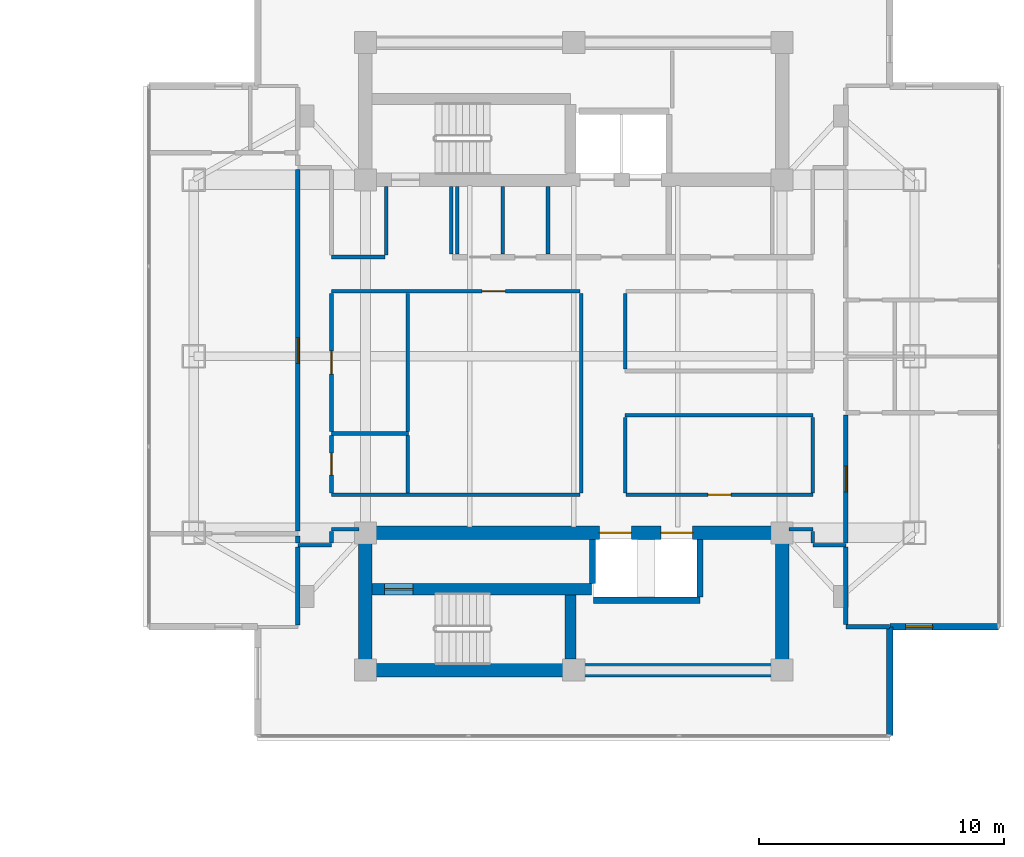
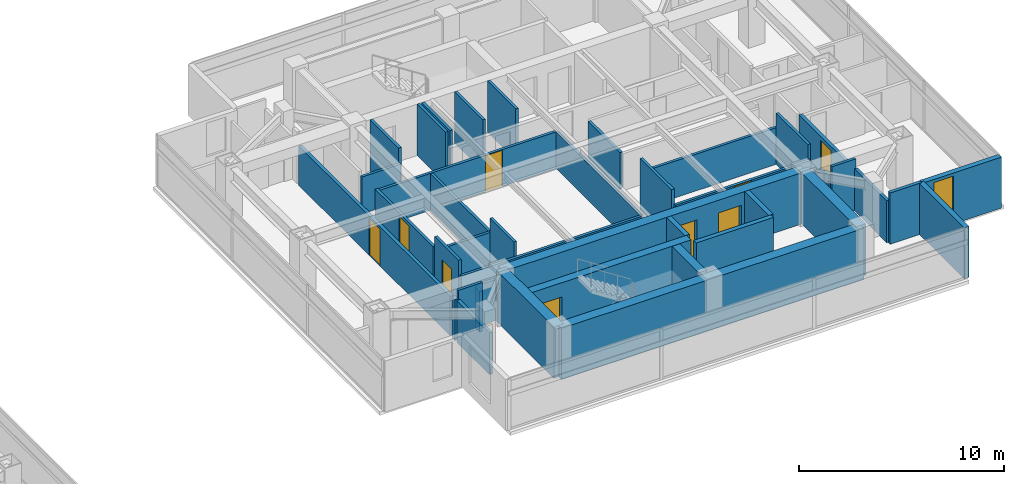
# One storey, part 16 of 24: 42 walls, 9 doors, 1 window, 10 openings.
"""IFC4 building model written with IfcOpenShell, lengths in metres."""

import ifcopenshell
import ifcopenshell.guid

model = None  # the IFC model being written
_history = None  # IfcOwnerHistory: only IFC2X3 demands one
_inside = {}  # id of a spatial element -> (the spatial element, [elements in it])
_under = {}  # id of a project, library or spatial element -> (it, [spatial elements below it])
_declared = {}  # id of a project -> (the project, [libraries it declares])
_typed = {}  # id of a type object -> (the type object, [elements of that type])
_made_of = {}  # id of a material, layer set ... -> (it, [elements and type objects made of it])


def new_model(schema):
    """Start an empty IFC model of exactly this schema.

    Asked for "IFC4X3", IfcOpenShell would pick the latest addendum, in which some entities
    have other attributes; the version numbers below select the first issue.
    IFC2X3 requires an IfcOwnerHistory on every rooted entity: one is made here for all.
    """
    global model, _history
    if schema == "IFC4X3":
        model = ifcopenshell.file(schema_version=(4, 3, 0, 0))
    else:
        model = ifcopenshell.file(schema=schema)
    _inside.clear()
    _under.clear()
    _declared.clear()
    _typed.clear()
    _made_of.clear()
    _history = None
    if model.schema == "IFC2X3":
        org = make("IfcOrganization", Name="unknown")
        user = make(
            "IfcPersonAndOrganization",
            ThePerson=make("IfcPerson", FamilyName="unknown"),
            TheOrganization=org,
        )
        app = make(
            "IfcApplication",
            ApplicationDeveloper=org,
            Version="unknown",
            ApplicationFullName="unknown",
            ApplicationIdentifier="unknown",
        )
        _history = make(
            "IfcOwnerHistory",
            OwningUser=user,
            OwningApplication=app,
            ChangeAction="ADDED",
            CreationDate=0,
        )
    return model


def make(cls, **values):
    """One entity of the class cls with the attributes given. An attribute that is None is left unset."""
    return model.create_entity(
        cls, **{name: value for name, value in values.items() if value is not None}
    )


def rooted(cls, **values):
    """An entity with a GlobalId (a new one), such as an element, a storey or a relation."""
    return make(cls, GlobalId=ifcopenshell.guid.new(), OwnerHistory=_history, **values)


def si_unit(unit_type, name, prefix=None):
    """IfcSIUnit, for example si_unit("LENGTHUNIT", "METRE", prefix="MILLI")."""
    return make("IfcSIUnit", UnitType=unit_type, Prefix=prefix, Name=name)


def assignment(units):
    """IfcUnitAssignment: the units of a project."""
    return None if units is None else make("IfcUnitAssignment", Units=units)


def point(xyz):
    """IfcCartesianPoint."""
    return None if xyz is None else make("IfcCartesianPoint", Coordinates=xyz)


def direction(xyz):
    """IfcDirection."""
    return None if xyz is None else make("IfcDirection", DirectionRatios=xyz)


def frame(location, z_axis=None, x_axis=None):
    """IfcAxis2Placement3D, a coordinate frame: its origin and axes. An axis left out is left unset."""
    return make(
        "IfcAxis2Placement3D",
        Location=point(location),
        Axis=direction(z_axis),
        RefDirection=direction(x_axis),
    )


def frame_2d(location, x_axis=None):
    """IfcAxis2Placement2D, a coordinate frame in the plane: its origin and x axis."""
    return make(
        "IfcAxis2Placement2D", Location=point(location), RefDirection=direction(x_axis)
    )


def origin():
    """The frame at (0, 0, 0) with its axes left unset."""
    return frame((0.0, 0.0, 0.0))


def place(relative_to, where):
    """IfcLocalPlacement: puts the frame where relative to a parent placement (None: the world)."""
    return make(
        "IfcLocalPlacement", PlacementRelTo=relative_to, RelativePlacement=where
    )


def context(
    kind, dimensions, precision=None, world=None, true_north=None, identifier=None
):
    """IfcGeometricRepresentationContext, for example the 3D "Model" context."""
    return make(
        "IfcGeometricRepresentationContext",
        ContextIdentifier=identifier,
        ContextType=kind,
        CoordinateSpaceDimension=dimensions,
        Precision=precision,
        WorldCoordinateSystem=world,
        TrueNorth=true_north,
    )


def subcontext(parent, identifier, kind, view, scale=None):
    """IfcGeometricRepresentationSubContext, for example "Body" below "Model"."""
    return make(
        "IfcGeometricRepresentationSubContext",
        ContextIdentifier=identifier,
        ContextType=kind,
        ParentContext=parent,
        TargetScale=scale,
        TargetView=view,
    )


def project(units=None, contexts=None):
    """IfcProject with its units and contexts."""
    return rooted(
        "IfcProject",
        Name="project",
        RepresentationContexts=contexts,
        UnitsInContext=assignment(units),
    )


def spatial(cls, under=None, at=None, **own):
    """A site, building, storey or space (cls), placed at a placement, below another one or the project."""
    s = rooted(cls, ObjectPlacement=at, **own)
    if under is not None:
        _under.setdefault(under.id(), (under, []))[1].append(s)
    return s


def profile(cls, at=None, kind="AREA", **sizes):
    """A parametric profile (cls). Its sizes go by their IFC names, for example OverallWidth=200.0."""
    return make(cls, ProfileType=kind, Position=at, **sizes)


def rectangle(**sizes):
    """IfcRectangleProfileDef."""
    return profile("IfcRectangleProfileDef", **sizes)


def extrude(swept, where, along, depth):
    """IfcExtrudedAreaSolid: the profile swept, set in the frame where, extruded along a direction by depth."""
    return make(
        "IfcExtrudedAreaSolid",
        SweptArea=swept,
        Position=where,
        ExtrudedDirection=direction(along),
        Depth=depth,
    )


def shape(context_of_items, identifier, shape_type, items):
    """IfcShapeRepresentation: the items that make up one representation, for example the "Body"."""
    return make(
        "IfcShapeRepresentation",
        ContextOfItems=context_of_items,
        RepresentationIdentifier=identifier,
        RepresentationType=shape_type,
        Items=items,
    )


def material(Name=None, Category=None):
    """IfcMaterial."""
    return make("IfcMaterial", Name=Name, Category=Category)


def layer(
    of_material, thickness, ventilated=None, Name=None, Category=None, Priority=None
):
    """IfcMaterialLayer: one layer of a wall or slab, of a material (None: an air gap)."""
    return make(
        "IfcMaterialLayer",
        Material=of_material,
        LayerThickness=thickness,
        IsVentilated=ventilated,
        Name=Name,
        Category=Category,
        Priority=Priority,
    )


def layer_set(layers, Name=None):
    """IfcMaterialLayerSet."""
    return make("IfcMaterialLayerSet", MaterialLayers=layers, LayerSetName=Name)


def made_of(thing, what):
    """Note that an element or type object is made of a material, layer set ...; save() writes the relation."""
    if what is not None:
        _made_of.setdefault(what.id(), (what, []))[1].append(thing)
    return thing


def type_object(cls, material=None, **own):
    """A type object (cls), such as IfcWallType, which elements share."""
    return made_of(rooted(cls, **own), material)


def element(
    cls,
    number,
    at=None,
    inside=None,
    cuts=None,
    type_object=None,
    material=None,
    context=None,
    identifier="Body",
    shape_type=None,
    held_by="IfcProductDefinitionShape",
    body=None,
    shapes=None,
    **own,
):
    """One element of the class cls, such as IfcWall. Its Tag is "e" and its number.

    at: its placement. inside: the storey or other place that contains it. cuts: it is an
    opening in that element (IfcRelVoidsElement). A single representation is given by context,
    identifier, shape_type and body (its items); several are given by shapes. held_by: the class
    of the entity that holds the representations. save() writes the other relations.
    """
    e = rooted(cls, Tag="e%d" % number, ObjectPlacement=at, **own)
    if body is not None:
        shapes = [shape(context, identifier, shape_type, body)]
    if shapes is not None:
        e.Representation = make(held_by, Representations=shapes)
    if inside is not None:
        _inside.setdefault(inside.id(), (inside, []))[1].append(e)
    if cuts is not None:
        rooted(
            "IfcRelVoidsElement", RelatingBuildingElement=cuts, RelatedOpeningElement=e
        )
    if type_object is not None:
        _typed.setdefault(type_object.id(), (type_object, []))[1].append(e)
    return made_of(e, material)


def fill(opening, filler):
    """IfcRelFillsElement: the door or window that sits in an opening."""
    return rooted(
        "IfcRelFillsElement",
        RelatingOpeningElement=opening,
        RelatedBuildingElement=filler,
    )


def aggregate(whole, parts):
    """IfcRelAggregates: a whole, such as a stair, and the parts it consists of."""
    return rooted("IfcRelAggregates", RelatingObject=whole, RelatedObjects=parts)


def save(model, path):
    """Write the relations noted so far, then the file.

    IfcRelAggregates (storeys below a building ...), IfcRelContainedInSpatialStructure (elements
    in a storey), IfcRelDefinesByType, IfcRelAssociatesMaterial and IfcRelDeclares: one each for
    every whole, place, type object, material and project.
    """
    for whole, parts in _under.values():
        aggregate(whole, parts)
    for where, things in _inside.values():
        rooted(
            "IfcRelContainedInSpatialStructure",
            RelatedElements=things,
            RelatingStructure=where,
        )
    for kind, things in _typed.values():
        rooted("IfcRelDefinesByType", RelatedObjects=things, RelatingType=kind)
    for what, things in _made_of.values():
        rooted("IfcRelAssociatesMaterial", RelatedObjects=things, RelatingMaterial=what)
    for by, libraries in _declared.values():
        rooted("IfcRelDeclares", RelatingContext=by, RelatedDefinitions=libraries)
    model.write(path)


model = new_model("IFC4")

# Units and contexts
model_context = context("Model", 3, precision=1e-05, world=origin(), true_north=direction((0.0, 1.0)))
body_context = subcontext(model_context, "Body", "Model", "MODEL_VIEW")
ifc_project = project(units=[si_unit("LENGTHUNIT", "METRE"), si_unit("AREAUNIT", "SQUARE_METRE"), si_unit("VOLUMEUNIT", "CUBIC_METRE"), si_unit("PLANEANGLEUNIT", "RADIAN"), si_unit("MASSUNIT", "GRAM", prefix="KILO")], contexts=[model_context])

# Site, building, storey
site_placement = place(None, origin())
site = spatial("IfcSite", under=ifc_project, at=site_placement, CompositionType="ELEMENT")
building_placement = place(site_placement, origin())
building = spatial("IfcBuilding", under=site, at=building_placement, Name="Mirazonda Arch Towers", CompositionType="ELEMENT")
storey_placement = place(building_placement, frame((0.0, 0.0, 196.64990234375)))
storey = spatial("IfcBuildingStorey", under=building, at=storey_placement, Name="L56", CompositionType="ELEMENT", Elevation=196.64990234375)

# Wall, opening, door
ifc_material_1 = material(Name="Concrete C50/60", Category="concrete")
ifc_layer_1 = layer(ifc_material_1, 0.449951171875, Name="WALL-CORE-450")
ifc_layer_set_1 = layer_set([ifc_layer_1], Name="Concrete C50/60")
wall_type_1 = type_object("IfcWallType", Name="WALL-CORE-450", PredefinedType="SHEAR", material=ifc_layer_set_1)
wall_1_placement = place(storey_placement, frame((68.27001953125, 18.5, 0.0), z_axis=(0.0, 0.0, 1.0), x_axis=(1.0, 0.0, 0.0)))
wall_1 = element("IfcWall", 1, at=wall_1_placement, inside=storey, type_object=wall_type_1, Name="L56 Stair Core Shear Wall 013", PredefinedType="SHEAR", context=body_context, shape_type="SweptSolid", body=[
    extrude(rectangle(XDim=8.949951171875, YDim=0.449951171875, at=frame_2d((4.47509765625, 0.0))), origin(), (0.0, 0.0, 1.0), 3.050048828125),
])
opening_1_placement = place(wall_1_placement, frame((0.52001953125, 0.0, 0.0)))
opening_1 = element("IfcOpeningElement", 2, at=opening_1_placement, cuts=wall_1, Name="Opening DR-135", PredefinedType="OPENING", context=body_context, shape_type="SweptSolid", body=[
    extrude(rectangle(XDim=1.14990234375, YDim=2.199951171875, at=frame_2d((0.574951171875, 1.10009765625))), frame((0.0, 0.23486328125, 0.0), z_axis=(0.0, -1.0, 0.0), x_axis=(1.0, 0.0, 0.0)), (0.0, 0.0, 1.0), 0.469970703125),
])
ifc_material_2 = material(Name="Architectural Brushed Steel S355", Category="steel")
door_type_1 = type_object("IfcDoorType", Name="DOOR-STAIR-FD90-1150", OperationType="NOTDEFINED", PredefinedType="DOOR", material=ifc_material_2)
door_1_placement = place(opening_1_placement, origin())
door_1 = element("IfcDoor", 3, at=door_1_placement, inside=storey, type_object=door_type_1, Name="L56 East Protected Stair South Door", OperationType="SINGLE_SWING_RIGHT", OverallHeight=2.199951171875, OverallWidth=1.14990234375, PredefinedType="DOOR", context=body_context, shape_type="SweptSolid", body=[
    extrude(rectangle(XDim=1.14990234375, YDim=2.199951171875, at=frame_2d((0.574951171875, 1.10009765625))), frame((0.0, 0.02490234375, 0.0), z_axis=(0.0, -1.0, 0.0), x_axis=(1.0, 0.0, 0.0)), (0.0, 0.0, 1.0), 0.050048828125),
])
fill(opening_1, door_1)

# Walls
wall_2_placement = place(storey_placement, frame((76.360107421875, 15.6650390625, 0.0), z_axis=(0.0, 0.0, 1.0), x_axis=(0.0, 1.0, 0.0)))
element("IfcWall", 4, at=wall_2_placement, inside=storey, type_object=wall_type_1, Name="L56 Stair Core Shear Wall 127", PredefinedType="SHEAR", context=body_context, shape_type="SweptSolid", body=[
    extrude(rectangle(XDim=2.599853515625, YDim=0.449951171875, at=frame_2d((1.2998046875, 0.0))), origin(), (0.0, 0.0, 1.0), 3.050048828125),
])
ifc_layer_2 = layer(ifc_material_1, 0.550048828125, Name="WALL-CORE-550")
ifc_layer_set_2 = layer_set([ifc_layer_2], Name="Concrete C50/60")
wall_type_2 = type_object("IfcWallType", Name="WALL-CORE-550", PredefinedType="SHEAR", material=ifc_layer_set_2)
wall_3_placement = place(storey_placement, frame((68.0, 15.199951171875, 0.0), z_axis=(0.0, 0.0, 1.0), x_axis=(1.0, 0.0, 0.0)))
element("IfcWall", 5, at=wall_3_placement, inside=storey, type_object=wall_type_2, Name="L56 T2S-S Core Shear Wall", PredefinedType="SHEAR", context=body_context, shape_type="SweptSolid", body=[
    extrude(rectangle(XDim=17.0, YDim=0.550048828125, at=frame_2d((8.5, 0.0))), origin(), (0.0, 0.0, 1.0), 3.050048828125),
])
for number, where, z_axis, x_axis, name in (
    (6, (68.0, 15.199951171875, 0.0), (0.0, 0.0, 1.0), (0.0, 1.0, 0.0), "L56 T2S-W Core Shear Wall"),
    (7, (85.0, 15.199951171875, 0.0), (0.0, 0.0, 1.0), (0.0, 1.0, 0.0), "L56 T2S-E Core Shear Wall"),
):
    element("IfcWall", number, at=place(storey_placement, frame(where, z_axis=z_axis, x_axis=x_axis)), inside=storey, type_object=wall_type_2, Name=name, PredefinedType="SHEAR", context=body_context, shape_type="SweptSolid", body=[
        extrude(rectangle(XDim=5.60009765625, YDim=0.550048828125, at=frame_2d((2.800048828125, 0.0))), origin(), (0.0, 0.0, 1.0), 3.050048828125),
    ])

# Wall, openings, doors
wall_4_placement = place(storey_placement, frame((68.0, 20.800048828125, 0.0), z_axis=(0.0, 0.0, 1.0), x_axis=(1.0, 0.0, 0.0)))
wall_4 = element("IfcWall", 8, at=wall_4_placement, inside=storey, type_object=wall_type_2, Name="L56 T2S-N Core Shear Wall", PredefinedType="SHEAR", context=body_context, shape_type="SweptSolid", body=[
    extrude(rectangle(XDim=17.0, YDim=0.550048828125, at=frame_2d((8.5, 0.0))), origin(), (0.0, 0.0, 1.0), 3.050048828125),
])
opening_2_placement = place(wall_4_placement, frame((9.550048828125, 0.0, 0.0)))
opening_2 = element("IfcOpeningElement", 9, at=opening_2_placement, cuts=wall_4, Name="Opening LD-111", PredefinedType="OPENING", context=body_context, shape_type="SweptSolid", body=[
    extrude(rectangle(XDim=1.300048828125, YDim=2.300048828125, at=frame_2d((0.64990234375, 1.14990234375))), frame((0.0, 0.284912109375, 0.0), z_axis=(0.0, -1.0, 0.0), x_axis=(1.0, 0.0, 0.0)), (0.0, 0.0, 1.0), 0.570068359375),
])
opening_3_placement = place(wall_4_placement, frame((12.050048828125, 0.0, 0.0)))
opening_3 = element("IfcOpeningElement", 10, at=opening_3_placement, cuts=wall_4, Name="Opening LD-111", PredefinedType="OPENING", context=body_context, shape_type="SweptSolid", body=[
    extrude(rectangle(XDim=1.300048828125, YDim=2.300048828125, at=frame_2d((0.64990234375, 1.14990234375))), frame((0.0, 0.284912109375, 0.0), z_axis=(0.0, -1.0, 0.0), x_axis=(1.0, 0.0, 0.0)), (0.0, 0.0, 1.0), 0.570068359375),
])
door_type_2 = type_object("IfcDoorType", Name="DOOR-LIFT-LAND-1300", OperationType="NOTDEFINED", PredefinedType="DOOR", material=ifc_material_2)
door_2_placement = place(opening_2_placement, origin())
door_2 = element("IfcDoor", 11, at=door_2_placement, inside=storey, type_object=door_type_2, Name="L56 Lift Landing Sliding Door PL-T2H1", OperationType="DOUBLE_DOOR_SLIDING", OverallHeight=2.300048828125, OverallWidth=1.300048828125, PredefinedType="DOOR", context=body_context, shape_type="SweptSolid", body=[
    extrude(rectangle(XDim=1.300048828125, YDim=2.300048828125, at=frame_2d((0.64990234375, 1.14990234375))), frame((0.0, 0.02490234375, 0.0), z_axis=(0.0, -1.0, 0.0), x_axis=(1.0, 0.0, 0.0)), (0.0, 0.0, 1.0), 0.050048828125),
])
fill(opening_2, door_2)
door_3_placement = place(opening_3_placement, origin())
door_3 = element("IfcDoor", 12, at=door_3_placement, inside=storey, type_object=door_type_2, Name="L56 Lift Landing Sliding Door PL-T2H2", OperationType="DOUBLE_DOOR_SLIDING", OverallHeight=2.300048828125, OverallWidth=1.300048828125, PredefinedType="DOOR", context=body_context, shape_type="SweptSolid", body=[
    extrude(rectangle(XDim=1.300048828125, YDim=2.300048828125, at=frame_2d((0.64990234375, 1.14990234375))), frame((0.0, 0.02490234375, 0.0), z_axis=(0.0, -1.0, 0.0), x_axis=(1.0, 0.0, 0.0)), (0.0, 0.0, 1.0), 0.050048828125),
])
fill(opening_3, door_3)

# Wall, opening, window
ifc_material_3 = material(Name="Precast Concrete C40/50", Category="concrete")
ifc_layer_3 = layer(ifc_material_3, 0.280029296875, Name="WALL-EXT-WALL-280")
ifc_layer_set_3 = layer_set([ifc_layer_3], Name="Precast Concrete C40/50")
wall_type_3 = type_object("IfcWallType", Name="WALL-EXT-WALL-280", PredefinedType="SOLIDWALL", material=ifc_layer_set_3)
wall_5_placement = place(storey_placement, frame((89.389892578125, 16.968017578125, 0.0), z_axis=(0.0, 0.0, 1.0), x_axis=(1.0, 0.0, 0.0)))
wall_5 = element("IfcWall", 13, at=wall_5_placement, inside=storey, type_object=wall_type_3, Name="L56 T2 Corner Notch Return Wall WL-L56-T2-CSE1", PredefinedType="SOLIDWALL", context=body_context, shape_type="SweptSolid", body=[
    extrude(rectangle(XDim=4.439697265625, YDim=0.280029296875, at=frame_2d((2.2197265625, 0.0))), origin(), (0.0, 0.0, 1.0), 3.030029296875),
])
opening_4_placement = place(wall_5_placement, frame((0.64990234375, 0.0, 0.85009765625)))
opening_4 = element("IfcOpeningElement", 14, at=opening_4_placement, cuts=wall_5, Name="Opening WN-108", PredefinedType="OPENING", context=body_context, shape_type="SweptSolid", body=[
    extrude(rectangle(XDim=1.10009765625, YDim=2.0, at=frame_2d((0.550048828125, 1.0))), frame((0.0, 0.14990234375, 0.0), z_axis=(0.0, -1.0, 0.0), x_axis=(1.0, 0.0, 0.0)), (0.0, 0.0, 1.0), 0.300048828125),
])
ifc_material_4 = material(Name="Insulated Low-E Solar Glass", Category="glass")
window_type = type_object("IfcWindowType", Name="WIN-NOTCH-1100x2000", PartitioningType="SINGLE_PANEL", PredefinedType="WINDOW", material=ifc_material_4)
window_placement = place(opening_4_placement, origin())
window = element("IfcWindow", 15, at=window_placement, inside=storey, type_object=window_type, Name="L56 Punched Facade Window WN-L56-T2-CSE1", OverallHeight=2.0, OverallWidth=1.10009765625, PartitioningType="SINGLE_PANEL", PredefinedType="WINDOW", context=body_context, shape_type="SweptSolid", body=[
    extrude(rectangle(XDim=1.10009765625, YDim=2.0, at=frame_2d((0.550048828125, 1.0))), frame((0.0, 0.030029296875, 0.0), z_axis=(0.0, -1.0, 0.0), x_axis=(1.0, 0.0, 0.0)), (0.0, 0.0, 1.0), 0.06005859375),
])
fill(opening_4, window)

# Walls
wall_6_placement = place(storey_placement, frame((89.389892578125, 12.5283203125, 0.0), z_axis=(0.0, 0.0, 1.0), x_axis=(0.0, 1.0, 0.0)))
element("IfcWall", 16, at=wall_6_placement, inside=storey, type_object=wall_type_3, Name="L56 T2 Corner Notch Return Wall WL-L56-T2-CSE2", PredefinedType="SOLIDWALL", context=body_context, shape_type="SweptSolid", body=[
    extrude(rectangle(XDim=4.439697265625, YDim=0.280029296875, at=frame_2d((2.2197265625, 0.0))), origin(), (0.0, 0.0, 1.0), 3.030029296875),
])
ifc_material_5 = material(Name="Fire-Rated Gypsum Stud Partition")
ifc_layer_4 = layer(ifc_material_5, 0.14990234375, Name="WALL-PART-CORR-150")
ifc_layer_set_4 = layer_set([ifc_layer_4], Name="Fire-Rated Gypsum Stud Partition")
wall_type_4 = type_object("IfcWallType", Name="WALL-PART-CORR-150", PredefinedType="PARTITIONING", material=ifc_layer_set_4)
wall_7_placement = place(storey_placement, frame((65.25, 20.300048828125, 0.0), z_axis=(0.0, 0.0, 1.0), x_axis=(1.0, 0.0, 0.0)))
element("IfcWall", 17, at=wall_7_placement, inside=storey, type_object=wall_type_4, Name="L56 Interior Partition 015", PredefinedType="PARTITIONING", context=body_context, shape_type="SweptSolid", body=[
    extrude(rectangle(XDim=1.3701171875, YDim=0.14990234375, at=frame_2d((0.68505859375, 0.0))), origin(), (0.0, 0.0, 1.0), 3.050048828125),
])
wall_8_placement = place(storey_placement, frame((86.25, 20.300048828125, 0.0), z_axis=(0.0, 0.0, 1.0), x_axis=(1.0, 0.0, 0.0)))
element("IfcWall", 18, at=wall_8_placement, inside=storey, type_object=wall_type_4, Name="L56 Interior Partition 016", PredefinedType="PARTITIONING", context=body_context, shape_type="SweptSolid", body=[
    extrude(rectangle(XDim=1.35009765625, YDim=0.14990234375, at=frame_2d((0.675048828125, 0.0))), origin(), (0.0, 0.0, 1.0), 3.050048828125),
])
wall_9_placement = place(storey_placement, frame((66.6201171875, 20.949951171875, 0.0), z_axis=(0.0, 0.0, 1.0), x_axis=(1.0, 0.0, 0.0)))
element("IfcWall", 19, at=wall_9_placement, inside=storey, type_object=wall_type_4, Name="L56 Interior Partition 018", PredefinedType="PARTITIONING", context=body_context, shape_type="SweptSolid", body=[
    extrude(rectangle(XDim=1.10986328125, YDim=0.14990234375, at=frame_2d((0.554931640625, 0.0))), origin(), (0.0, 0.0, 1.0), 2.442138671875),
])
wall_10_placement = place(storey_placement, frame((85.27001953125, 20.949951171875, 0.0), z_axis=(0.0, 0.0, 1.0), x_axis=(1.0, 0.0, 0.0)))
element("IfcWall", 20, at=wall_10_placement, inside=storey, type_object=wall_type_4, Name="L56 Interior Partition 019", PredefinedType="PARTITIONING", context=body_context, shape_type="SweptSolid", body=[
    extrude(rectangle(XDim=0.97998046875, YDim=0.14990234375, at=frame_2d((0.489990234375, 0.0))), origin(), (0.0, 0.0, 1.0), 2.442138671875),
])
wall_11_placement = place(storey_placement, frame((66.6201171875, 22.35009765625, 0.0), z_axis=(0.0, 0.0, 1.0), x_axis=(1.0, 0.0, 0.0)))
element("IfcWall", 21, at=wall_11_placement, inside=storey, type_object=wall_type_4, Name="L56 Interior Partition 020", PredefinedType="PARTITIONING", context=body_context, shape_type="SweptSolid", body=[
    extrude(rectangle(XDim=10.139892578125, YDim=0.14990234375, at=frame_2d((5.06982421875, 0.0))), origin(), (0.0, 0.0, 1.0), 2.18603515625),
])

# Wall, opening, door
wall_12_placement = place(storey_placement, frame((78.639892578125, 22.35009765625, 0.0), z_axis=(0.0, 0.0, 1.0), x_axis=(1.0, 0.0, 0.0)))
wall_12 = element("IfcWall", 22, at=wall_12_placement, inside=storey, type_object=wall_type_4, Name="L56 Interior Partition 021", PredefinedType="PARTITIONING", context=body_context, shape_type="SweptSolid", body=[
    extrude(rectangle(XDim=7.610107421875, YDim=0.14990234375, at=frame_2d((3.80517578125, 0.0))), origin(), (0.0, 0.0, 1.0), 2.18603515625),
])
opening_5_placement = place(wall_12_placement, frame((3.330078125, 0.0, 0.0)))
opening_5 = element("IfcOpeningElement", 23, at=opening_5_placement, cuts=wall_12, Name="Opening DR-104", PredefinedType="OPENING", context=body_context, shape_type="SweptSolid", body=[
    extrude(rectangle(XDim=0.949951171875, YDim=2.14990234375, at=frame_2d((0.47509765625, 1.074951171875))), frame((0.0, 0.0849609375, 0.0), z_axis=(0.0, -1.0, 0.0), x_axis=(1.0, 0.0, 0.0)), (0.0, 0.0, 1.0), 0.169921875),
])
door_type_3 = type_object("IfcDoorType", Name="DOOR-ROOM-950", OperationType="NOTDEFINED", PredefinedType="DOOR", material=ifc_material_2)
door_4_placement = place(opening_5_placement, origin())
door_4 = element("IfcDoor", 24, at=door_4_placement, inside=storey, type_object=door_type_3, Name="L56 L56 Tower 2 South-East Salon Door", OperationType="SINGLE_SWING_RIGHT", OverallHeight=2.14990234375, OverallWidth=0.949951171875, PredefinedType="DOOR", context=body_context, shape_type="SweptSolid", body=[
    extrude(rectangle(XDim=0.949951171875, YDim=2.14990234375, at=frame_2d((0.47509765625, 1.074951171875))), frame((0.0, 0.02490234375, 0.0), z_axis=(0.0, -1.0, 0.0), x_axis=(1.0, 0.0, 0.0)), (0.0, 0.0, 1.0), 0.050048828125),
])
fill(opening_5, door_4)

# Walls
wall_13_placement = place(storey_placement, frame((66.6201171875, 24.85009765625, 0.0), z_axis=(0.0, 0.0, 1.0), x_axis=(1.0, 0.0, 0.0)))
element("IfcWall", 25, at=wall_13_placement, inside=storey, type_object=wall_type_4, Name="L56 Interior Partition 023", PredefinedType="PARTITIONING", context=body_context, shape_type="SweptSolid", body=[
    extrude(rectangle(XDim=3.1298828125, YDim=0.14990234375, at=frame_2d((1.56494140625, 0.0))), origin(), (0.0, 0.0, 1.0), 2.18603515625),
])
wall_14_placement = place(storey_placement, frame((78.60009765625, 25.60009765625, 0.0), z_axis=(0.0, 0.0, 1.0), x_axis=(1.0, 0.0, 0.0)))
element("IfcWall", 26, at=wall_14_placement, inside=storey, type_object=wall_type_4, Name="L56 Interior Partition 026", PredefinedType="PARTITIONING", context=body_context, shape_type="SweptSolid", body=[
    extrude(rectangle(XDim=7.64990234375, YDim=0.14990234375, at=frame_2d((3.824951171875, 0.0))), origin(), (0.0, 0.0, 1.0), 2.18603515625),
])

# Wall, opening, door
wall_15_placement = place(storey_placement, frame((66.6201171875, 30.64990234375, 0.0), z_axis=(0.0, 0.0, 1.0), x_axis=(1.0, 0.0, 0.0)))
wall_15 = element("IfcWall", 27, at=wall_15_placement, inside=storey, type_object=wall_type_4, Name="L56 Interior Partition 033", PredefinedType="PARTITIONING", context=body_context, shape_type="SweptSolid", body=[
    extrude(rectangle(XDim=10.139892578125, YDim=0.14990234375, at=frame_2d((5.06982421875, 0.0))), origin(), (0.0, 0.0, 1.0), 2.18603515625),
])
opening_6_placement = place(wall_15_placement, frame((6.139892578125, 0.0, 0.0)))
opening_6 = element("IfcOpeningElement", 28, at=opening_6_placement, cuts=wall_15, Name="Opening DR-104", PredefinedType="OPENING", context=body_context, shape_type="SweptSolid", body=[
    extrude(rectangle(XDim=0.949951171875, YDim=2.14990234375, at=frame_2d((0.47509765625, 1.074951171875))), frame((0.0, 0.0849609375, 0.0), z_axis=(0.0, -1.0, 0.0), x_axis=(1.0, 0.0, 0.0)), (0.0, 0.0, 1.0), 0.169921875),
])
door_5_placement = place(opening_6_placement, origin())
door_5 = element("IfcDoor", 29, at=door_5_placement, inside=storey, type_object=door_type_3, Name="L56 L56 East Courtyard Study Door", OperationType="SINGLE_SWING_LEFT", OverallHeight=2.14990234375, OverallWidth=0.949951171875, PredefinedType="DOOR", context=body_context, shape_type="SweptSolid", body=[
    extrude(rectangle(XDim=0.949951171875, YDim=2.14990234375, at=frame_2d((0.47509765625, 1.074951171875))), frame((0.0, 0.02490234375, 0.0), z_axis=(0.0, -1.0, 0.0), x_axis=(1.0, 0.0, 0.0)), (0.0, 0.0, 1.0), 0.050048828125),
])
fill(opening_6, door_5)

# Walls
wall_16_placement = place(storey_placement, frame((66.6201171875, 32.050048828125, 0.0), z_axis=(0.0, 0.0, 1.0), x_axis=(1.0, 0.0, 0.0)))
element("IfcWall", 30, at=wall_16_placement, inside=storey, type_object=wall_type_4, Name="L56 Interior Partition 037", PredefinedType="PARTITIONING", context=body_context, shape_type="SweptSolid", body=[
    extrude(rectangle(XDim=2.179931640625, YDim=0.14990234375, at=frame_2d((1.08984375, 0.0))), origin(), (0.0, 0.0, 1.0), 2.18603515625),
])
wall_17_placement = place(storey_placement, frame((66.6201171875, 20.385009765625, 0.0), z_axis=(0.0, 0.0, 1.0), x_axis=(0.0, 1.0, 0.0)))
element("IfcWall", 31, at=wall_17_placement, inside=storey, type_object=wall_type_4, Name="L56 Interior Partition 116", PredefinedType="PARTITIONING", context=body_context, shape_type="SweptSolid", body=[
    extrude(rectangle(XDim=0.47998046875, YDim=0.14990234375, at=frame_2d((0.239990234375, 0.0))), origin(), (0.0, 0.0, 1.0), 2.442138671875),
])

# Wall, opening, door
wall_18_placement = place(storey_placement, frame((66.6201171875, 22.43505859375, 0.0), z_axis=(0.0, 0.0, 1.0), x_axis=(0.0, 1.0, 0.0)))
wall_18 = element("IfcWall", 32, at=wall_18_placement, inside=storey, type_object=wall_type_4, Name="L56 Interior Partition 117", PredefinedType="PARTITIONING", context=body_context, shape_type="SweptSolid", body=[
    extrude(rectangle(XDim=2.329833984375, YDim=0.14990234375, at=frame_2d((1.1650390625, 0.0))), origin(), (0.0, 0.0, 1.0), 3.050048828125),
])
opening_7_placement = place(wall_18_placement, frame((0.715087890625, 0.0, 0.0)))
opening_7 = element("IfcOpeningElement", 33, at=opening_7_placement, cuts=wall_18, Name="Opening DR-120", PredefinedType="OPENING", context=body_context, shape_type="SweptSolid", body=[
    extrude(rectangle(XDim=0.89990234375, YDim=2.10009765625, at=frame_2d((0.449951171875, 1.050048828125))), frame((0.0, 0.0849609375, 0.0), z_axis=(0.0, -1.0, 0.0), x_axis=(1.0, 0.0, 0.0)), (0.0, 0.0, 1.0), 0.169921875),
])
door_type_4 = type_object("IfcDoorType", Name="DOOR-WC-900", OperationType="NOTDEFINED", PredefinedType="DOOR", material=ifc_material_2)
door_6_placement = place(opening_7_placement, origin())
door_6 = element("IfcDoor", 34, at=door_6_placement, inside=storey, type_object=door_type_4, Name="L56 Tower 2 Common Accessible WC Door", OperationType="SINGLE_SWING_LEFT", OverallHeight=2.10009765625, OverallWidth=0.89990234375, PredefinedType="DOOR", context=body_context, shape_type="SweptSolid", body=[
    extrude(rectangle(XDim=0.89990234375, YDim=2.10009765625, at=frame_2d((0.449951171875, 1.050048828125))), frame((0.0, 0.02490234375, 0.0), z_axis=(0.0, -1.0, 0.0), x_axis=(1.0, 0.0, 0.0)), (0.0, 0.0, 1.0), 0.050048828125),
])
fill(opening_7, door_6)

wall_19_placement = place(storey_placement, frame((66.6201171875, 24.93505859375, 0.0), z_axis=(0.0, 0.0, 1.0), x_axis=(0.0, 1.0, 0.0)))
wall_19 = element("IfcWall", 35, at=wall_19_placement, inside=storey, type_object=wall_type_4, Name="L56 Interior Partition 118", PredefinedType="PARTITIONING", context=body_context, shape_type="SweptSolid", body=[
    extrude(rectangle(XDim=5.6298828125, YDim=0.14990234375, at=frame_2d((2.81494140625, 0.0))), origin(), (0.0, 0.0, 1.0), 2.34619140625),
])
opening_8_placement = place(wall_19_placement, frame((2.340087890625, 0.0, 0.0)))
opening_8 = element("IfcOpeningElement", 36, at=opening_8_placement, cuts=wall_19, Name="Opening DR-104", PredefinedType="OPENING", context=body_context, shape_type="SweptSolid", body=[
    extrude(rectangle(XDim=0.949951171875, YDim=2.14990234375, at=frame_2d((0.47509765625, 1.074951171875))), frame((0.0, 0.0849609375, 0.0), z_axis=(0.0, -1.0, 0.0), x_axis=(1.0, 0.0, 0.0)), (0.0, 0.0, 1.0), 0.169921875),
])
door_7_placement = place(opening_8_placement, origin())
door_7 = element("IfcDoor", 37, at=door_7_placement, inside=storey, type_object=door_type_3, Name="L56 L56 East Courtyard Reading Study Door", OperationType="SINGLE_SWING_RIGHT", OverallHeight=2.14990234375, OverallWidth=0.949951171875, PredefinedType="DOOR", context=body_context, shape_type="SweptSolid", body=[
    extrude(rectangle(XDim=0.949951171875, YDim=2.14990234375, at=frame_2d((0.47509765625, 1.074951171875))), frame((0.0, 0.02490234375, 0.0), z_axis=(0.0, -1.0, 0.0), x_axis=(1.0, 0.0, 0.0)), (0.0, 0.0, 1.0), 0.050048828125),
])
fill(opening_8, door_7)

# Walls
wall_20_placement = place(storey_placement, frame((68.85009765625, 32.135009765625, 0.0), z_axis=(0.0, 0.0, 1.0), x_axis=(0.0, 1.0, 0.0)))
element("IfcWall", 38, at=wall_20_placement, inside=storey, type_object=wall_type_4, Name="L56 Interior Partition 120", PredefinedType="PARTITIONING", context=body_context, shape_type="SweptSolid", body=[
    extrude(rectangle(XDim=2.794921875, YDim=0.14990234375, at=frame_2d((1.3974609375, 0.0))), origin(), (0.0, 0.0, 1.0), 3.050048828125),
])
wall_21_placement = place(storey_placement, frame((69.723388671875, 22.43505859375, 0.0), z_axis=(0.0, 0.0, 1.0), x_axis=(0.0, 1.0, 0.0)))
element("IfcWall", 39, at=wall_21_placement, inside=storey, type_object=wall_type_4, Name="L56 Interior Partition 121", PredefinedType="PARTITIONING", context=body_context, shape_type="SweptSolid", body=[
    extrude(rectangle(XDim=2.329833984375, YDim=0.14990234375, at=frame_2d((1.1650390625, 0.0))), origin(), (0.0, 0.0, 1.0), 3.050048828125),
])
wall_22_placement = place(storey_placement, frame((69.723388671875, 24.93505859375, 0.0), z_axis=(0.0, 0.0, 1.0), x_axis=(0.0, 1.0, 0.0)))
element("IfcWall", 40, at=wall_22_placement, inside=storey, type_object=wall_type_4, Name="L56 Interior Partition 122", PredefinedType="PARTITIONING", context=body_context, shape_type="SweptSolid", body=[
    extrude(rectangle(XDim=5.6298828125, YDim=0.14990234375, at=frame_2d((2.81494140625, 0.0))), origin(), (0.0, 0.0, 1.0), 2.18603515625),
])
for number, where, z_axis, x_axis, name in (
    (41, (71.5, 32.169921875, 0.0), (0.0, 0.0, 1.0), (0.0, 1.0, 0.0), "L56 Interior Partition 123"),
    (42, (71.75, 32.169921875, 0.0), (0.0, 0.0, 1.0), (0.0, 1.0, 0.0), "L56 Interior Partition 124"),
    (43, (73.60009765625, 32.169921875, 0.0), (0.0, 0.0, 1.0), (0.0, 1.0, 0.0), "L56 Interior Partition 125"),
    (44, (75.449951171875, 32.169921875, 0.0), (0.0, 0.0, 1.0), (0.0, 1.0, 0.0), "L56 Interior Partition 126"),
):
    element("IfcWall", number, at=place(storey_placement, frame(where, z_axis=z_axis, x_axis=x_axis)), inside=storey, type_object=wall_type_4, Name=name, PredefinedType="PARTITIONING", context=body_context, shape_type="SweptSolid", body=[
        extrude(rectangle(XDim=2.760009765625, YDim=0.14990234375, at=frame_2d((1.3798828125, 0.0))), origin(), (0.0, 0.0, 1.0), 3.050048828125),
    ])
wall_23_placement = place(storey_placement, frame((76.800048828125, 22.43505859375, 0.0), z_axis=(0.0, 0.0, 1.0), x_axis=(0.0, 1.0, 0.0)))
element("IfcWall", 45, at=wall_23_placement, inside=storey, type_object=wall_type_4, Name="L56 Interior Partition 129", PredefinedType="PARTITIONING", context=body_context, shape_type="SweptSolid", body=[
    extrude(rectangle(XDim=8.1298828125, YDim=0.14990234375, at=frame_2d((4.06494140625, 0.0))), origin(), (0.0, 0.0, 1.0), 2.18603515625),
])
wall_24_placement = place(storey_placement, frame((78.60009765625, 22.43505859375, 0.0), z_axis=(0.0, 0.0, 1.0), x_axis=(0.0, 1.0, 0.0)))
element("IfcWall", 46, at=wall_24_placement, inside=storey, type_object=wall_type_4, Name="L56 Interior Partition 131", PredefinedType="PARTITIONING", context=body_context, shape_type="SweptSolid", body=[
    extrude(rectangle(XDim=3.079833984375, YDim=0.14990234375, at=frame_2d((1.5400390625, 0.0))), origin(), (0.0, 0.0, 1.0), 3.050048828125),
])
wall_25_placement = place(storey_placement, frame((78.60009765625, 27.485107421875, 0.0), z_axis=(0.0, 0.0, 1.0), x_axis=(0.0, 1.0, 0.0)))
element("IfcWall", 47, at=wall_25_placement, inside=storey, type_object=wall_type_4, Name="L56 Interior Partition 132", PredefinedType="PARTITIONING", context=body_context, shape_type="SweptSolid", body=[
    extrude(rectangle(XDim=3.079833984375, YDim=0.14990234375, at=frame_2d((1.5400390625, 0.0))), origin(), (0.0, 0.0, 1.0), 2.18603515625),
])
wall_26_placement = place(storey_placement, frame((86.25, 20.385009765625, 0.0), z_axis=(0.0, 0.0, 1.0), x_axis=(0.0, 1.0, 0.0)))
element("IfcWall", 48, at=wall_26_placement, inside=storey, type_object=wall_type_4, Name="L56 Interior Partition 138", PredefinedType="PARTITIONING", context=body_context, shape_type="SweptSolid", body=[
    extrude(rectangle(XDim=0.47998046875, YDim=0.14990234375, at=frame_2d((0.239990234375, 0.0))), origin(), (0.0, 0.0, 1.0), 2.442138671875),
])
wall_27_placement = place(storey_placement, frame((86.25, 22.43505859375, 0.0), z_axis=(0.0, 0.0, 1.0), x_axis=(0.0, 1.0, 0.0)))
element("IfcWall", 49, at=wall_27_placement, inside=storey, type_object=wall_type_4, Name="L56 Interior Partition 139", PredefinedType="PARTITIONING", context=body_context, shape_type="SweptSolid", body=[
    extrude(rectangle(XDim=3.079833984375, YDim=0.14990234375, at=frame_2d((1.5400390625, 0.0))), origin(), (0.0, 0.0, 1.0), 3.050048828125),
])
ifc_material_6 = material(Name="Fire-Rated Gypsum Twin-Stud Assembly")
ifc_layer_5 = layer(ifc_material_6, 0.179931640625, Name="WALL-PART-DEMISE-180")
ifc_layer_set_5 = layer_set([ifc_layer_5], Name="Fire-Rated Gypsum Twin-Stud Assembly")
wall_type_5 = type_object("IfcWallType", Name="WALL-PART-DEMISE-180", PredefinedType="PARTITIONING", material=ifc_layer_set_5)
wall_28_placement = place(storey_placement, frame((87.60009765625, 16.968017578125, 0.0), z_axis=(0.0, 0.0, 1.0), x_axis=(1.0, 0.0, 0.0)))
element("IfcWall", 50, at=wall_28_placement, inside=storey, type_object=wall_type_5, Name="L56 Interior Partition 009", PredefinedType="PARTITIONING", context=body_context, shape_type="SweptSolid", body=[
    extrude(rectangle(XDim=1.769775390625, YDim=0.179931640625, at=frame_2d((0.884765625, 0.0))), origin(), (0.0, 0.0, 1.0), 3.050048828125),
])
wall_29_placement = place(storey_placement, frame((65.25, 17.04052734375, 0.0), z_axis=(0.0, 0.0, 1.0), x_axis=(0.0, 1.0, 0.0)))
element("IfcWall", 51, at=wall_29_placement, inside=storey, type_object=wall_type_5, Name="L56 Interior Partition 111", PredefinedType="PARTITIONING", context=body_context, shape_type="SweptSolid", body=[
    extrude(rectangle(XDim=3.174560546875, YDim=0.179931640625, at=frame_2d((1.58740234375, 0.0))), origin(), (0.0, 0.0, 1.0), 2.4931640625),
])
wall_30_placement = place(storey_placement, frame((65.25, 20.385009765625, 0.0), z_axis=(0.0, 0.0, 1.0), x_axis=(0.0, 1.0, 0.0)))
element("IfcWall", 52, at=wall_30_placement, inside=storey, type_object=wall_type_5, Name="L56 Interior Partition 112", PredefinedType="PARTITIONING", context=body_context, shape_type="SweptSolid", body=[
    extrude(rectangle(XDim=0.282958984375, YDim=0.179931640625, at=frame_2d((0.1416015625, 0.0))), origin(), (0.0, 0.0, 1.0), 2.442138671875),
])

# Wall, opening, door
wall_31_placement = place(storey_placement, frame((65.25, 20.867919921875, 0.0), z_axis=(0.0, 0.0, 1.0), x_axis=(0.0, 1.0, 0.0)))
wall_31 = element("IfcWall", 53, at=wall_31_placement, inside=storey, type_object=wall_type_5, Name="L56 Interior Partition 113", PredefinedType="PARTITIONING", context=body_context, shape_type="SweptSolid", body=[
    extrude(rectangle(XDim=14.7470703125, YDim=0.179931640625, at=frame_2d((7.37353515625, 0.0))), origin(), (0.0, 0.0, 1.0), 2.34619140625),
])
opening_9_placement = place(wall_31_placement, frame((6.848388671875, 0.0, 0.0)))
opening_9 = element("IfcOpeningElement", 54, at=opening_9_placement, cuts=wall_31, Name="Opening DR-121", PredefinedType="OPENING", context=body_context, shape_type="SweptSolid", body=[
    extrude(rectangle(XDim=1.050048828125, YDim=2.199951171875, at=frame_2d((0.52490234375, 1.10009765625))), frame((0.0, 0.099853515625, 0.0), z_axis=(0.0, -1.0, 0.0), x_axis=(1.0, 0.0, 0.0)), (0.0, 0.0, 1.0), 0.199951171875),
])
door_type_5 = type_object("IfcDoorType", Name="DOOR-SUITE-FD60-1050", OperationType="NOTDEFINED", PredefinedType="DOOR", material=ifc_material_2)
door_8_placement = place(opening_9_placement, origin())
door_8 = element("IfcDoor", 55, at=door_8_placement, inside=storey, type_object=door_type_5, Name="L56 Penthouse Residence 1 Living & Dining Salon Door", OperationType="SINGLE_SWING_RIGHT", OverallHeight=2.199951171875, OverallWidth=1.050048828125, PredefinedType="DOOR", context=body_context, shape_type="SweptSolid", body=[
    extrude(rectangle(XDim=1.050048828125, YDim=2.199951171875, at=frame_2d((0.52490234375, 1.10009765625))), frame((0.0, 0.02490234375, 0.0), z_axis=(0.0, -1.0, 0.0), x_axis=(1.0, 0.0, 0.0)), (0.0, 0.0, 1.0), 0.050048828125),
])
fill(opening_9, door_8)

# Wall
wall_32_placement = place(storey_placement, frame((87.60009765625, 17.068115234375, 0.0), z_axis=(0.0, 0.0, 1.0), x_axis=(0.0, 1.0, 0.0)))
element("IfcWall", 56, at=wall_32_placement, inside=storey, type_object=wall_type_5, Name="L56 Interior Partition 142", PredefinedType="PARTITIONING", context=body_context, shape_type="SweptSolid", body=[
    extrude(rectangle(XDim=3.14697265625, YDim=0.179931640625, at=frame_2d((1.573486328125, 0.0))), origin(), (0.0, 0.0, 1.0), 2.4931640625),
])

# Wall, opening, door
wall_33_placement = place(storey_placement, frame((87.60009765625, 20.385009765625, 0.0), z_axis=(0.0, 0.0, 1.0), x_axis=(0.0, 1.0, 0.0)))
wall_33 = element("IfcWall", 57, at=wall_33_placement, inside=storey, type_object=wall_type_5, Name="L56 Interior Partition 143", PredefinedType="PARTITIONING", context=body_context, shape_type="SweptSolid", body=[
    extrude(rectangle(XDim=5.215087890625, YDim=0.179931640625, at=frame_2d((2.607421875, 0.0))), origin(), (0.0, 0.0, 1.0), 2.442138671875),
])
opening_10_placement = place(wall_33_placement, frame((2.08251953125, 0.0, 0.0)))
opening_10 = element("IfcOpeningElement", 58, at=opening_10_placement, cuts=wall_33, Name="Opening DR-121", PredefinedType="OPENING", context=body_context, shape_type="SweptSolid", body=[
    extrude(rectangle(XDim=1.050048828125, YDim=2.199951171875, at=frame_2d((0.52490234375, 1.10009765625))), frame((0.0, 0.099853515625, 0.0), z_axis=(0.0, -1.0, 0.0), x_axis=(1.0, 0.0, 0.0)), (0.0, 0.0, 1.0), 0.199951171875),
])
door_9_placement = place(opening_10_placement, origin())
door_9 = element("IfcDoor", 59, at=door_9_placement, inside=storey, type_object=door_type_5, Name="L56 Studio Apartment 1 Living Salon Door", OperationType="SINGLE_SWING_RIGHT", OverallHeight=2.199951171875, OverallWidth=1.050048828125, PredefinedType="DOOR", context=body_context, shape_type="SweptSolid", body=[
    extrude(rectangle(XDim=1.050048828125, YDim=2.199951171875, at=frame_2d((0.52490234375, 1.10009765625))), frame((0.0, 0.02490234375, 0.0), z_axis=(0.0, -1.0, 0.0), x_axis=(1.0, 0.0, 0.0)), (0.0, 0.0, 1.0), 0.050048828125),
])
fill(opening_10, door_9)

# Walls
ifc_material_7 = material(Name="Concrete C40/50", Category="concrete")
ifc_layer_6 = layer(ifc_material_7, 0.25, Name="WALL-SHAFT-250")
ifc_layer_set_6 = layer_set([ifc_layer_6], Name="Concrete C40/50")
wall_type_6 = type_object("IfcWallType", Name="WALL-SHAFT-250", PredefinedType="SOLIDWALL", material=ifc_layer_set_6)
wall_34_placement = place(storey_placement, frame((77.300048828125, 18.050048828125, 0.0), z_axis=(0.0, 0.0, 1.0), x_axis=(1.0, 0.0, 0.0)))
element("IfcWall", 60, at=wall_34_placement, inside=storey, type_object=wall_type_6, Name="L56 Interior Partition 010", PredefinedType="SOLIDWALL", context=body_context, shape_type="SweptSolid", body=[
    extrude(rectangle(XDim=4.349853515625, YDim=0.25, at=frame_2d((2.1748046875, 0.0))), origin(), (0.0, 0.0, 1.0), 3.050048828125),
])
wall_35_placement = place(storey_placement, frame((77.260009765625, 18.735107421875, 0.0), z_axis=(0.0, 0.0, 1.0), x_axis=(0.0, 1.0, 0.0)))
element("IfcWall", 61, at=wall_35_placement, inside=storey, type_object=wall_type_6, Name="L56 Interior Partition 130", PredefinedType="SOLIDWALL", context=body_context, shape_type="SweptSolid", body=[
    extrude(rectangle(XDim=1.794921875, YDim=0.25, at=frame_2d((0.8974609375, 0.0))), origin(), (0.0, 0.0, 1.0), 3.050048828125),
])
wall_36_placement = place(storey_placement, frame((81.64990234375, 18.18505859375, 0.0), z_axis=(0.0, 0.0, 1.0), x_axis=(0.0, 1.0, 0.0)))
element("IfcWall", 62, at=wall_36_placement, inside=storey, type_object=wall_type_6, Name="L56 Interior Partition 136", PredefinedType="SOLIDWALL", context=body_context, shape_type="SweptSolid", body=[
    extrude(rectangle(XDim=2.344970703125, YDim=0.25, at=frame_2d((1.17236328125, 0.0))), origin(), (0.0, 0.0, 1.0), 3.050048828125),
])

save(model, "model.ifc")
